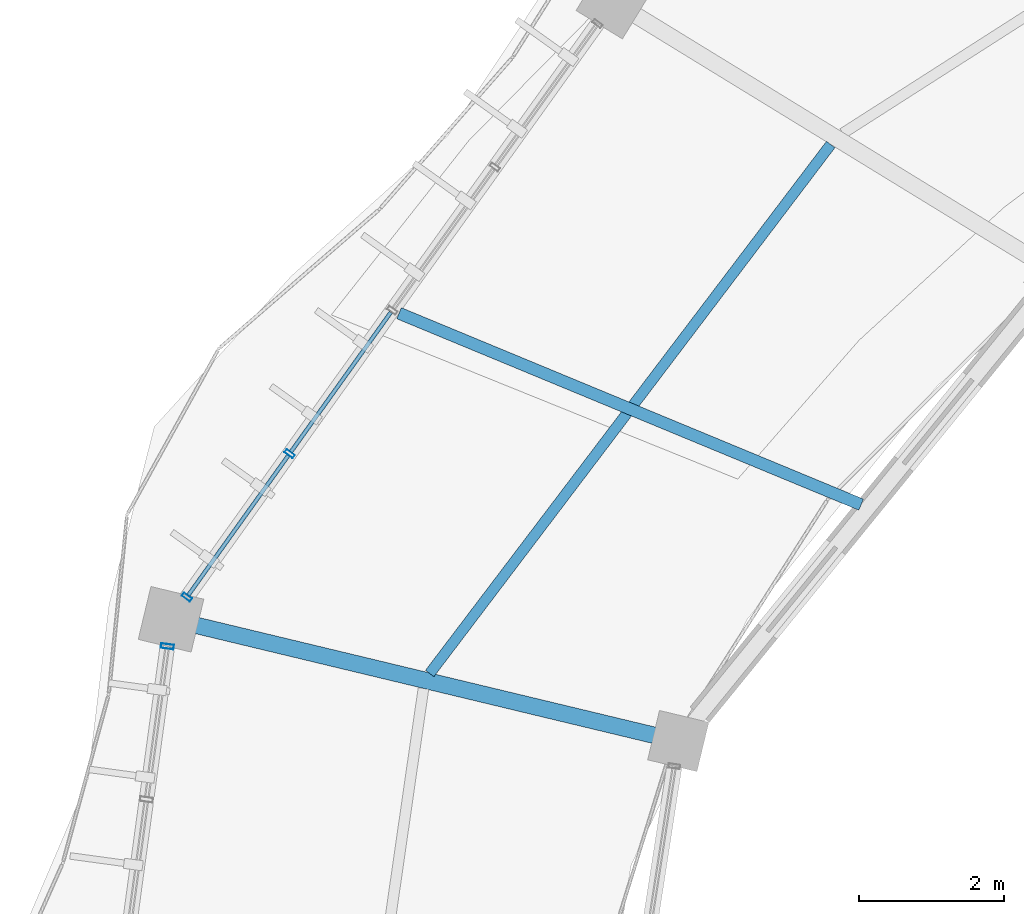
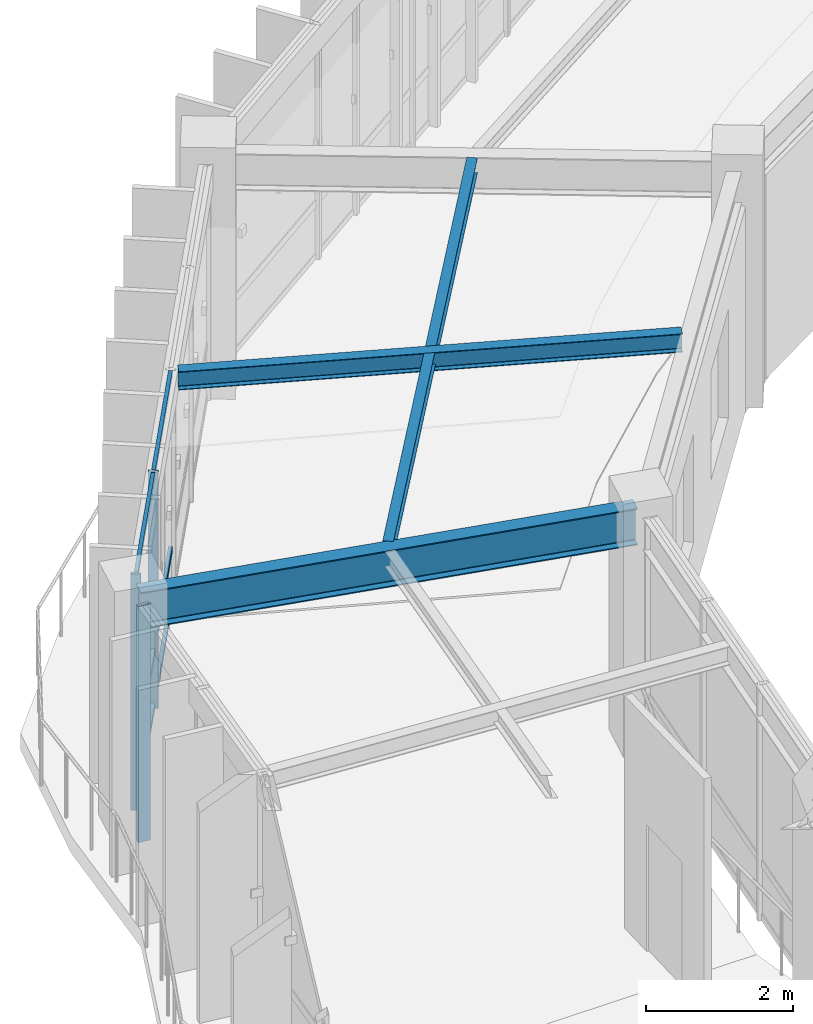
# One storey, part 54 of 152: 9 members, 3 beams, 2 elements without a shape of their own.
"""IFC4 building model written with IfcOpenShell, lengths in metres."""

from ifc_helpers import new_model, si_unit, direction, frame, origin, origin_2d, place, context, subcontext, project, spatial, hollow_rectangle, i_section, extrude, material, material_profile, profile_set, type_object, element, aggregate, save


model = new_model("IFC4")

# Units and contexts
model_context = context("Model", 3, precision=1e-05, world=origin(), true_north=direction((0.0, 1.0)))
body_context = subcontext(model_context, "Body", "Model", "MODEL_VIEW")
ifc_project = project(units=[si_unit("LENGTHUNIT", "METRE"), si_unit("AREAUNIT", "SQUARE_METRE"), si_unit("VOLUMEUNIT", "CUBIC_METRE"), si_unit("PLANEANGLEUNIT", "RADIAN"), si_unit("MASSUNIT", "GRAM", prefix="KILO"), si_unit("THERMODYNAMICTEMPERATUREUNIT", "KELVIN"), si_unit("POWERUNIT", "WATT")], contexts=[model_context])

# Site, building, storey
site_placement = place(None, origin())
site = spatial("IfcSite", under=ifc_project, at=site_placement, CompositionType="ELEMENT")
building_placement = place(site_placement, origin())
building = spatial("IfcBuilding", under=site, at=building_placement, Name="Darbajah Civic Hall", CompositionType="ELEMENT")
storey_placement = place(building_placement, frame((0.0, 0.0, 5.39990234375)))
storey = spatial("IfcBuildingStorey", under=building, at=storey_placement, Name="L01", CompositionType="ELEMENT", Elevation=5.39990234375)

# Curtain wall, members
ifc_material_1 = material(Name="Anodised Bronze Aluminium and Low-E Glazing", Category="aluminium")
curtain_wall_type_1 = type_object("IfcCurtainWallType", Name="Unitised Curtain Wall CW-27 9700x3900", PredefinedType="USERDEFINED", material=ifc_material_1)
curtain_wall_1_placement = place(storey_placement, origin())
curtain_wall_1 = element("IfcCurtainWall", 1, at=curtain_wall_1_placement, inside=storey, type_object=curtain_wall_type_1, Name="L01 unitised curtain wall CW-V1O-L01-08", ObjectType="UNITISED CURTAIN WALL", PredefinedType="USERDEFINED")
ifc_material_2 = material(Name="Anodised Bronze Aluminium", Category="aluminium")
ifc_material_profile_1 = material_profile(ifc_material_2, hollow_rectangle(XDim=0.054931640625, YDim=0.139892578125, WallThickness=0.003173828125, at=origin_2d()), Name="ALU MULLION 55x140")
ifc_profile_set_1 = profile_set([ifc_material_profile_1], Name="Anodised Bronze Aluminium")
member_type_1 = type_object("IfcMemberType", Name="ALU MULLION 55x140", PredefinedType="MULLION", material=ifc_profile_set_1)
member_1_placement = place(storey_placement, frame((41.1455078125, 98.9716796875, 0.0), z_axis=(0.0, 0.0, 1.0), x_axis=(-0.582264874145, -0.812999149039, 0.0)))
member_1 = element("IfcMember", 2, at=member_1_placement, type_object=member_type_1, Name="CW-V1O-L01-08 mullion 4", PredefinedType="MULLION", context=body_context, shape_type="SweptSolid", body=[
    extrude(hollow_rectangle(XDim=0.054931640625, YDim=0.139892578125, WallThickness=0.003173828125, at=origin_2d()), origin(), (0.0, 0.0, 1.0), 3.920166015625),
])
member_2_placement = place(storey_placement, frame((39.728515625, 96.9931640625, 0.0), z_axis=(0.0, 0.0, 1.0), x_axis=(-0.582264874145, -0.812999149039, 0.0)))
member_2 = element("IfcMember", 3, at=member_2_placement, type_object=member_type_1, Name="CW-V1O-L01-08 mullion 5", PredefinedType="MULLION", context=body_context, shape_type="SweptSolid", body=[
    extrude(hollow_rectangle(XDim=0.054931640625, YDim=0.139892578125, WallThickness=0.003173828125, at=origin_2d()), origin(), (0.0, 0.0, 1.0), 3.920166015625),
])

# Curtain wall, member
curtain_wall_type_2 = type_object("IfcCurtainWallType", Name="Unitised Curtain Wall CW-28 8500x3900", PredefinedType="USERDEFINED", material=ifc_material_1)
curtain_wall_2_placement = place(storey_placement, origin())
curtain_wall_2 = element("IfcCurtainWall", 4, at=curtain_wall_2_placement, inside=storey, type_object=curtain_wall_type_2, Name="L01 unitised curtain wall CW-V1O-L01-09", ObjectType="UNITISED CURTAIN WALL", PredefinedType="USERDEFINED")
ifc_material_profile_2 = material_profile(ifc_material_2, hollow_rectangle(XDim=0.06494140625, YDim=0.179931640625, WallThickness=0.00390625, at=origin_2d()), Name="ALU MULLION 65x180")
ifc_profile_set_2 = profile_set([ifc_material_profile_2], Name="Anodised Bronze Aluminium")
member_type_2 = type_object("IfcMemberType", Name="ALU MULLION 65x180", PredefinedType="MULLION", material=ifc_profile_set_2)
member_3_placement = place(storey_placement, frame((39.458251953125, 96.31298828125, 0.0), z_axis=(0.0, 0.0, 1.0), x_axis=(-0.134850930274, -0.990865897387, 0.0)))
member_3 = element("IfcMember", 5, at=member_3_placement, type_object=member_type_2, Name="CW-V1O-L01-09 mullion 1", PredefinedType="MULLION", context=body_context, shape_type="SweptSolid", body=[
    extrude(hollow_rectangle(XDim=0.06494140625, YDim=0.179931640625, WallThickness=0.00390625, at=origin_2d()), origin(), (0.0, 0.0, 1.0), 3.920166015625),
])
aggregate(curtain_wall_2, [member_3])

# Member
ifc_material_profile_3 = material_profile(ifc_material_2, hollow_rectangle(XDim=0.054931640625, YDim=0.10009765625, WallThickness=0.0029296875, at=origin_2d()), Name="ALU TRANSOM 55x100")
ifc_profile_set_3 = profile_set([ifc_material_profile_3], Name="Anodised Bronze Aluminium")
member_type_3 = type_object("IfcMemberType", Name="ALU TRANSOM 55x100", PredefinedType="USERDEFINED", material=ifc_profile_set_3)
member_4_placement = place(storey_placement, frame((42.543212890625, 100.923583984375, 0.050048828125), z_axis=(-0.582222645234, -0.813029391459, 0.0), x_axis=(0.813029391459, -0.582222645234, 0.0)))
member_4 = element("IfcMember", 6, at=member_4_placement, type_object=member_type_3, Name="CW-V1O-L01-08 transom 3.1", ObjectType="TRANSOM", PredefinedType="USERDEFINED", context=body_context, shape_type="SweptSolid", body=[
    extrude(hollow_rectangle(XDim=0.054931640625, YDim=0.10009765625, WallThickness=0.0029296875, at=origin_2d()), origin(), (0.0, 0.0, 1.0), 2.368408203125),
])

member_5_placement = place(storey_placement, frame((42.543212890625, 100.923583984375, 0.9501953125), z_axis=(-0.582222645234, -0.813029391459, 0.0), x_axis=(0.813029391459, -0.582222645234, 0.0)))
member_5 = element("IfcMember", 7, at=member_5_placement, type_object=member_type_3, Name="CW-V1O-L01-08 transom 3.2", ObjectType="TRANSOM", PredefinedType="USERDEFINED", context=body_context, shape_type="SweptSolid", body=[
    extrude(hollow_rectangle(XDim=0.054931640625, YDim=0.10009765625, WallThickness=0.0029296875, at=origin_2d()), origin(), (0.0, 0.0, 1.0), 2.368408203125),
])

member_6_placement = place(storey_placement, frame((42.543212890625, 100.923583984375, 3.8701171875), z_axis=(-0.582222645234, -0.813029391459, 0.0), x_axis=(0.813029391459, -0.582222645234, 0.0)))
member_6 = element("IfcMember", 8, at=member_6_placement, type_object=member_type_3, Name="CW-V1O-L01-08 transom 3.3", ObjectType="TRANSOM", PredefinedType="USERDEFINED", context=body_context, shape_type="SweptSolid", body=[
    extrude(hollow_rectangle(XDim=0.054931640625, YDim=0.10009765625, WallThickness=0.0029296875, at=origin_2d()), origin(), (0.0, 0.0, 1.0), 2.368408203125),
])

member_7_placement = place(storey_placement, frame((41.12646484375, 98.9453125, 0.050048828125), z_axis=(-0.582173851655, -0.813064331065, 0.0), x_axis=(0.813064331065, -0.582173851655, 0.0)))
member_7 = element("IfcMember", 9, at=member_7_placement, type_object=member_type_3, Name="CW-V1O-L01-08 transom 4.1", ObjectType="TRANSOM", PredefinedType="USERDEFINED", context=body_context, shape_type="SweptSolid", body=[
    extrude(hollow_rectangle(XDim=0.054931640625, YDim=0.10009765625, WallThickness=0.0029296875, at=origin_2d()), origin(), (0.0, 0.0, 1.0), 2.36865234375),
])

member_8_placement = place(storey_placement, frame((41.12646484375, 98.9453125, 0.9501953125), z_axis=(-0.582173851655, -0.813064331065, 0.0), x_axis=(0.813064331065, -0.582173851655, 0.0)))
member_8 = element("IfcMember", 10, at=member_8_placement, type_object=member_type_3, Name="CW-V1O-L01-08 transom 4.2", ObjectType="TRANSOM", PredefinedType="USERDEFINED", context=body_context, shape_type="SweptSolid", body=[
    extrude(hollow_rectangle(XDim=0.054931640625, YDim=0.10009765625, WallThickness=0.0029296875, at=origin_2d()), origin(), (0.0, 0.0, 1.0), 2.36865234375),
])

member_9_placement = place(storey_placement, frame((41.12646484375, 98.9453125, 3.8701171875), z_axis=(-0.582173851655, -0.813064331065, 0.0), x_axis=(0.813064331065, -0.582173851655, 0.0)))
member_9 = element("IfcMember", 11, at=member_9_placement, type_object=member_type_3, Name="CW-V1O-L01-08 transom 4.3", ObjectType="TRANSOM", PredefinedType="USERDEFINED", context=body_context, shape_type="SweptSolid", body=[
    extrude(hollow_rectangle(XDim=0.054931640625, YDim=0.10009765625, WallThickness=0.0029296875, at=origin_2d()), origin(), (0.0, 0.0, 1.0), 2.36865234375),
])

aggregate(curtain_wall_1, [member_1, member_2, member_4, member_5, member_6, member_7, member_8, member_9])

# Beams
ifc_material_3 = material(Name="Steel S355JR", Category="steel")
ifc_material_profile_4 = material_profile(ifc_material_3, i_section(OverallWidth=0.146484375, OverallDepth=0.256103515625, WebThickness=0.00634765625, FlangeThickness=0.010986328125, FilletRadius=0.007568359375, at=origin_2d()), Name="UB 254x146x37")
ifc_profile_set_4 = profile_set([ifc_material_profile_4], Name="Steel S355JR")
beam_type_1 = type_object("IfcBeamType", Name="UB 254x146x37", PredefinedType="JOIST", material=ifc_profile_set_4)
beam_1_placement = place(storey_placement, frame((48.61474609375, 103.240234375, 3.7919921875), z_axis=(-0.604114678665, -0.796897393032, 0.0), x_axis=(0.796897393032, -0.604114678665, 0.0)))
element("IfcBeam", 12, at=beam_1_placement, inside=storey, type_object=beam_type_1, Name="L01 beam SJ-254", PredefinedType="JOIST", context=body_context, shape_type="SweptSolid", body=[
    extrude(i_section(OverallWidth=0.146484375, OverallDepth=0.256103515625, WebThickness=0.00634765625, FlangeThickness=0.010986328125, FilletRadius=0.007568359375, at=origin_2d()), origin(), (0.0, 0.0, 1.0), 9.162353515625),
])
ifc_material_profile_5 = material_profile(ifc_material_3, i_section(OverallWidth=0.165771484375, OverallDepth=0.306640625, WebThickness=0.006591796875, FlangeThickness=0.01171875, FilletRadius=0.0087890625, at=origin_2d()), Name="UB 305x165x46")
ifc_profile_set_5 = profile_set([ifc_material_profile_5], Name="Steel S355JR")
beam_type_2 = type_object("IfcBeamType", Name="UB 305x165x46", PredefinedType="JOIST", material=ifc_profile_set_5)
beam_2_placement = place(storey_placement, frame((49.034423828125, 98.269287109375, 3.766845703125), z_axis=(-0.923878471007, 0.382685995053, 0.0), x_axis=(-0.382685995053, -0.923878471007, 0.0)))
element("IfcBeam", 13, at=beam_2_placement, inside=storey, type_object=beam_type_2, Name="L01 beam SJ-305", PredefinedType="JOIST", context=body_context, shape_type="SweptSolid", body=[
    extrude(i_section(OverallWidth=0.165771484375, OverallDepth=0.306640625, WebThickness=0.006591796875, FlangeThickness=0.01171875, FilletRadius=0.0087890625, at=origin_2d()), origin(), (0.0, 0.0, 1.0), 6.9033203125),
])
ifc_material_profile_6 = material_profile(ifc_material_3, i_section(OverallWidth=0.228271484375, OverallDepth=0.607666015625, WebThickness=0.010986328125, FlangeThickness=0.017333984375, FilletRadius=0.0126953125, at=origin_2d()), Name="UB 610x229x113")
ifc_profile_set_6 = profile_set([ifc_material_profile_6], Name="Steel S355JR")
beam_type_3 = type_object("IfcBeamType", Name="UB 610x229x113", PredefinedType="BEAM", material=ifc_profile_set_6)
beam_3_placement = place(storey_placement, frame((46.432373046875, 95.0244140625, 3.6162109375), z_axis=(-0.972366522162, 0.233459518071, 0.0), x_axis=(-0.233459518071, -0.972366522162, 0.0)))
element("IfcBeam", 14, at=beam_3_placement, inside=storey, type_object=beam_type_3, Name="L01 beam SB-610", PredefinedType="BEAM", context=body_context, shape_type="SweptSolid", body=[
    extrude(i_section(OverallWidth=0.228271484375, OverallDepth=0.607666015625, WebThickness=0.010986328125, FlangeThickness=0.017333984375, FilletRadius=0.0126953125, at=origin_2d()), origin(), (0.0, 0.0, 1.0), 7.0400390625),
])

save(model, "model.ifc")
